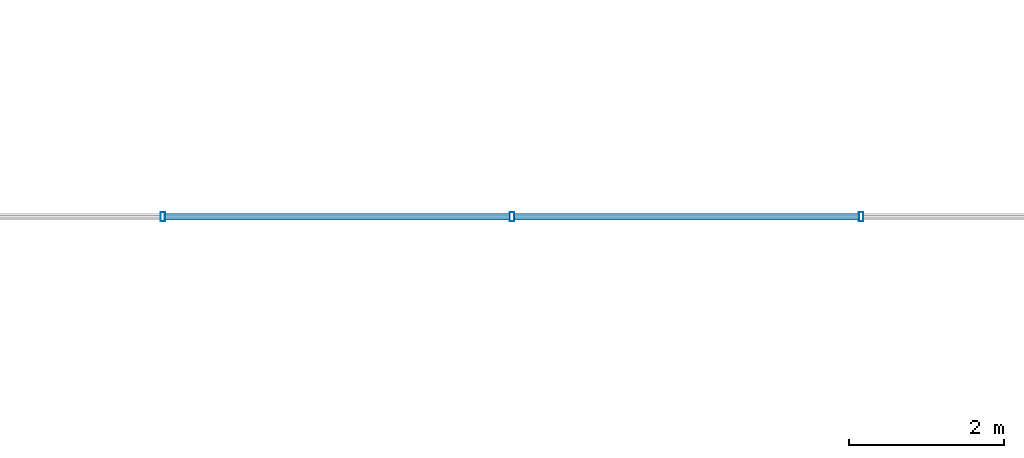
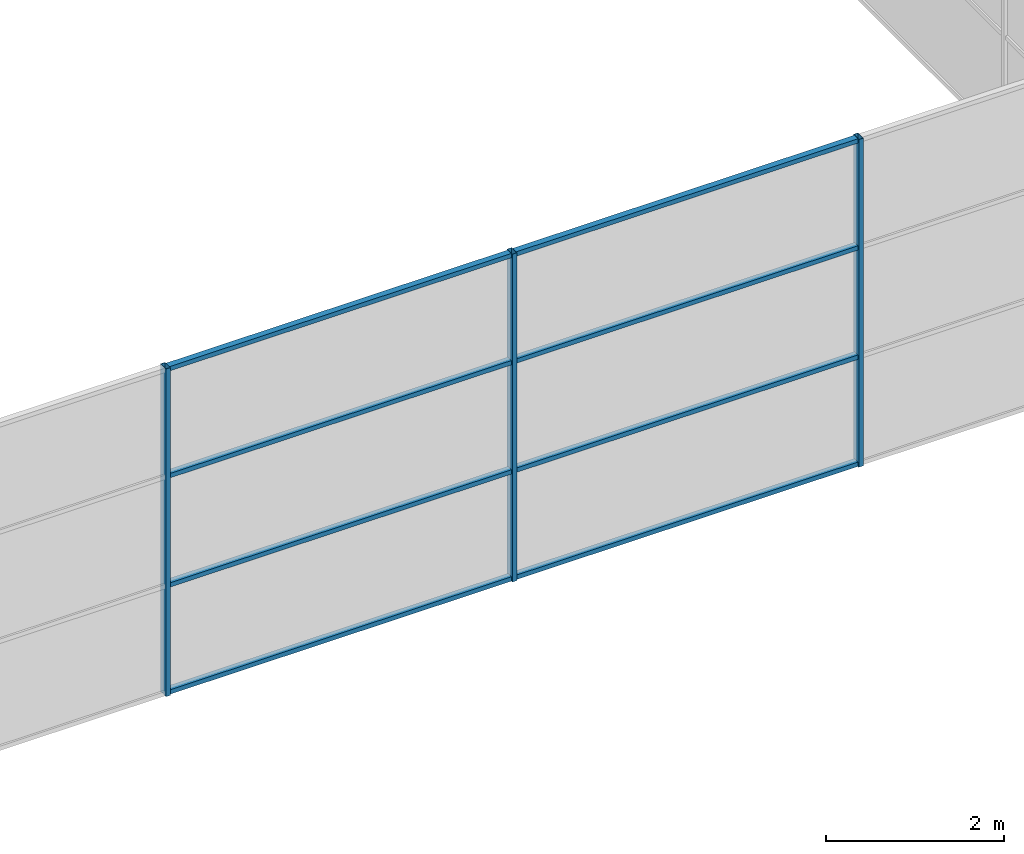
# One storey, part 13 of 70: 11 members, 1 element without a shape of its own.
"""IFC4 building model written with IfcOpenShell, lengths in metres."""

from ifc_helpers import new_model, si_unit, direction, frame, origin, origin_2d, place, context, subcontext, project, spatial, hollow_rectangle, extrude, material, material_profile, profile_set, type_object, element, aggregate, save


model = new_model("IFC4")

# Units and contexts
model_context = context("Model", 3, precision=1e-05, world=origin(), true_north=direction((0.0, 1.0)))
body_context = subcontext(model_context, "Body", "Model", "MODEL_VIEW")
ifc_project = project(units=[si_unit("LENGTHUNIT", "METRE"), si_unit("AREAUNIT", "SQUARE_METRE"), si_unit("VOLUMEUNIT", "CUBIC_METRE"), si_unit("PLANEANGLEUNIT", "RADIAN"), si_unit("MASSUNIT", "GRAM", prefix="KILO")], contexts=[model_context])

# Site, building, storey
site_placement = place(None, origin())
site = spatial("IfcSite", under=ifc_project, at=site_placement, CompositionType="ELEMENT")
building_placement = place(site_placement, origin())
building = spatial("IfcBuilding", under=site, at=building_placement, Name="Kallimachos Central Library", CompositionType="ELEMENT")
storey_placement = place(building_placement, frame((0.0, 0.0, 18.89990234375)))
storey = spatial("IfcBuildingStorey", under=building, at=storey_placement, Name="L04", CompositionType="ELEMENT", Elevation=18.89990234375)

# Curtain wall, members
ifc_material_1 = material(Name="Aluminium and laminated glass", Category="aluminium")
curtain_wall_type = type_object("IfcCurtainWallType", Name="Atrium glazed screen", PredefinedType="NOTDEFINED", material=ifc_material_1)
curtain_wall_placement = place(storey_placement, origin())
curtain_wall = element("IfcCurtainWall", 1, at=curtain_wall_placement, inside=storey, type_object=curtain_wall_type, Name="L04 atrium screen S", PredefinedType="NOTDEFINED")
ifc_material_2 = material(Name="Anodised aluminium", Category="aluminium")
ifc_material_profile_1 = material_profile(ifc_material_2, hollow_rectangle(XDim=0.06005859375, YDim=0.1201171875, WallThickness=0.00390625, at=origin_2d()), Name="ALU MULLION 60x120")
ifc_profile_set_1 = profile_set([ifc_material_profile_1], Name="Anodised aluminium")
member_type_1 = type_object("IfcMemberType", Name="Atrium screen mullion", PredefinedType="MULLION", material=ifc_profile_set_1)
member_1_placement = place(storey_placement, frame((88.0, 56.919921875, 0.0), z_axis=(0.0, 0.0, 1.0), x_axis=(1.0, 0.0, 0.0)))
member_1 = element("IfcMember", 2, at=member_1_placement, type_object=member_type_1, Name="CW mullion 4", PredefinedType="MULLION", context=body_context, shape_type="SweptSolid", body=[
    extrude(hollow_rectangle(XDim=0.06005859375, YDim=0.1201171875, WallThickness=0.00390625, at=origin_2d()), origin(), (0.0, 0.0, 1.0), 4.5),
])
member_2_placement = place(storey_placement, frame((92.5, 56.919921875, 0.0), z_axis=(0.0, 0.0, 1.0), x_axis=(1.0, 0.0, 0.0)))
member_2 = element("IfcMember", 3, at=member_2_placement, type_object=member_type_1, Name="CW mullion 5", PredefinedType="MULLION", context=body_context, shape_type="SweptSolid", body=[
    extrude(hollow_rectangle(XDim=0.06005859375, YDim=0.1201171875, WallThickness=0.00390625, at=origin_2d()), origin(), (0.0, 0.0, 1.0), 4.5),
])
member_3_placement = place(storey_placement, frame((97.0, 56.919921875, 0.0), z_axis=(0.0, 0.0, 1.0), x_axis=(1.0, 0.0, 0.0)))
member_3 = element("IfcMember", 4, at=member_3_placement, type_object=member_type_1, Name="CW mullion 6", PredefinedType="MULLION", context=body_context, shape_type="SweptSolid", body=[
    extrude(hollow_rectangle(XDim=0.06005859375, YDim=0.1201171875, WallThickness=0.00390625, at=origin_2d()), origin(), (0.0, 0.0, 1.0), 4.5),
])
ifc_material_3 = material(Name="Anodised aluminium", Category="aluminium")
ifc_material_profile_2 = material_profile(ifc_material_3, hollow_rectangle(XDim=0.06005859375, YDim=0.080078125, WallThickness=0.00390625, at=origin_2d()), Name="ALU TRANSOM 60x80")
ifc_profile_set_2 = profile_set([ifc_material_profile_2], Name="Anodised aluminium")
member_type_2 = type_object("IfcMemberType", Name="Atrium screen transom", PredefinedType="USERDEFINED", material=ifc_profile_set_2)
member_4_placement = place(storey_placement, frame((88.030029296875, 56.919921875, 0.030029296875), z_axis=(1.0, 0.0, 0.0), x_axis=(0.0, 0.0, 1.0)))
member_4 = element("IfcMember", 5, at=member_4_placement, type_object=member_type_2, Name="CW transom 4.1", ObjectType="TRANSOM", PredefinedType="USERDEFINED", context=body_context, shape_type="SweptSolid", body=[
    extrude(hollow_rectangle(XDim=0.06005859375, YDim=0.080078125, WallThickness=0.00390625, at=origin_2d()), origin(), (0.0, 0.0, 1.0), 4.43994140625),
])
member_5_placement = place(storey_placement, frame((88.030029296875, 56.919921875, 1.5), z_axis=(1.0, 0.0, 0.0), x_axis=(0.0, 0.0, 1.0)))
member_5 = element("IfcMember", 6, at=member_5_placement, type_object=member_type_2, Name="CW transom 4.2", ObjectType="TRANSOM", PredefinedType="USERDEFINED", context=body_context, shape_type="SweptSolid", body=[
    extrude(hollow_rectangle(XDim=0.06005859375, YDim=0.080078125, WallThickness=0.00390625, at=origin_2d()), origin(), (0.0, 0.0, 1.0), 4.43994140625),
])
member_6_placement = place(storey_placement, frame((88.030029296875, 56.919921875, 3.0), z_axis=(1.0, 0.0, 0.0), x_axis=(0.0, 0.0, 1.0)))
member_6 = element("IfcMember", 7, at=member_6_placement, type_object=member_type_2, Name="CW transom 4.3", ObjectType="TRANSOM", PredefinedType="USERDEFINED", context=body_context, shape_type="SweptSolid", body=[
    extrude(hollow_rectangle(XDim=0.06005859375, YDim=0.080078125, WallThickness=0.00390625, at=origin_2d()), origin(), (0.0, 0.0, 1.0), 4.43994140625),
])
member_7_placement = place(storey_placement, frame((88.030029296875, 56.919921875, 4.47021484375), z_axis=(1.0, 0.0, 0.0), x_axis=(0.0, 0.0, 1.0)))
member_7 = element("IfcMember", 8, at=member_7_placement, type_object=member_type_2, Name="CW transom 4.4", ObjectType="TRANSOM", PredefinedType="USERDEFINED", context=body_context, shape_type="SweptSolid", body=[
    extrude(hollow_rectangle(XDim=0.06005859375, YDim=0.080078125, WallThickness=0.00390625, at=origin_2d()), origin(), (0.0, 0.0, 1.0), 4.43994140625),
])
member_8_placement = place(storey_placement, frame((92.530029296875, 56.919921875, 0.030029296875), z_axis=(1.0, 0.0, 0.0), x_axis=(0.0, 0.0, 1.0)))
member_8 = element("IfcMember", 9, at=member_8_placement, type_object=member_type_2, Name="CW transom 5.1", ObjectType="TRANSOM", PredefinedType="USERDEFINED", context=body_context, shape_type="SweptSolid", body=[
    extrude(hollow_rectangle(XDim=0.06005859375, YDim=0.080078125, WallThickness=0.00390625, at=origin_2d()), origin(), (0.0, 0.0, 1.0), 4.43994140625),
])
member_9_placement = place(storey_placement, frame((92.530029296875, 56.919921875, 1.5), z_axis=(1.0, 0.0, 0.0), x_axis=(0.0, 0.0, 1.0)))
member_9 = element("IfcMember", 10, at=member_9_placement, type_object=member_type_2, Name="CW transom 5.2", ObjectType="TRANSOM", PredefinedType="USERDEFINED", context=body_context, shape_type="SweptSolid", body=[
    extrude(hollow_rectangle(XDim=0.06005859375, YDim=0.080078125, WallThickness=0.00390625, at=origin_2d()), origin(), (0.0, 0.0, 1.0), 4.43994140625),
])
member_10_placement = place(storey_placement, frame((92.530029296875, 56.919921875, 3.0), z_axis=(1.0, 0.0, 0.0), x_axis=(0.0, 0.0, 1.0)))
member_10 = element("IfcMember", 11, at=member_10_placement, type_object=member_type_2, Name="CW transom 5.3", ObjectType="TRANSOM", PredefinedType="USERDEFINED", context=body_context, shape_type="SweptSolid", body=[
    extrude(hollow_rectangle(XDim=0.06005859375, YDim=0.080078125, WallThickness=0.00390625, at=origin_2d()), origin(), (0.0, 0.0, 1.0), 4.43994140625),
])
member_11_placement = place(storey_placement, frame((92.530029296875, 56.919921875, 4.47021484375), z_axis=(1.0, 0.0, 0.0), x_axis=(0.0, 0.0, 1.0)))
member_11 = element("IfcMember", 12, at=member_11_placement, type_object=member_type_2, Name="CW transom 5.4", ObjectType="TRANSOM", PredefinedType="USERDEFINED", context=body_context, shape_type="SweptSolid", body=[
    extrude(hollow_rectangle(XDim=0.06005859375, YDim=0.080078125, WallThickness=0.00390625, at=origin_2d()), origin(), (0.0, 0.0, 1.0), 4.43994140625),
])
aggregate(curtain_wall, [member_1, member_2, member_3, member_4, member_5, member_6, member_7, member_8, member_9, member_10, member_11])

save(model, "model.ifc")
